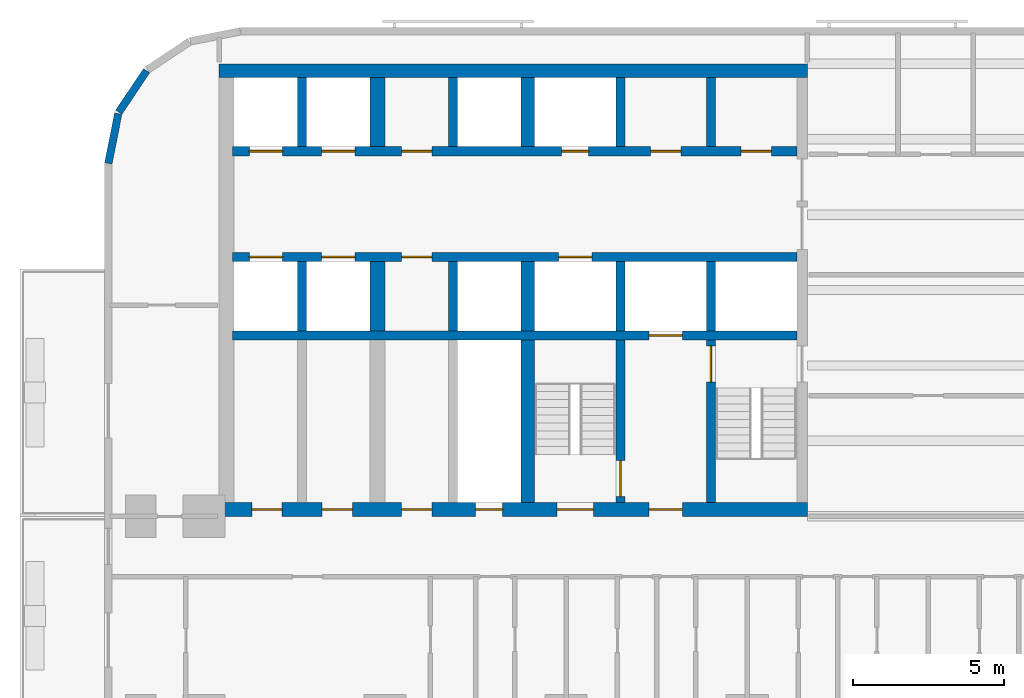
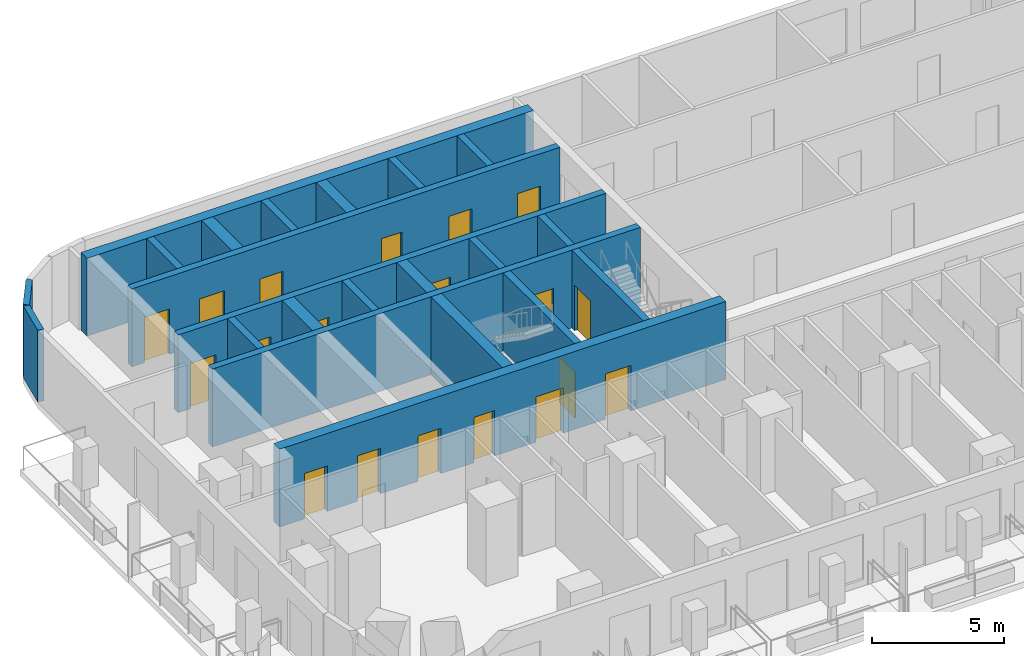
# One storey, part 3 of 13: 22 walls, 19 doors, 19 openings.
"""IFC4 building model written with IfcOpenShell, lengths in metres."""

import ifcopenshell
import ifcopenshell.guid

model = None  # the IFC model being written
_history = None  # IfcOwnerHistory: only IFC2X3 demands one
_inside = {}  # id of a spatial element -> (the spatial element, [elements in it])
_under = {}  # id of a project, library or spatial element -> (it, [spatial elements below it])
_declared = {}  # id of a project -> (the project, [libraries it declares])
_typed = {}  # id of a type object -> (the type object, [elements of that type])
_made_of = {}  # id of a material, layer set ... -> (it, [elements and type objects made of it])


def new_model(schema):
    """Start an empty IFC model of exactly this schema.

    Asked for "IFC4X3", IfcOpenShell would pick the latest addendum, in which some entities
    have other attributes; the version numbers below select the first issue.
    IFC2X3 requires an IfcOwnerHistory on every rooted entity: one is made here for all.
    """
    global model, _history
    if schema == "IFC4X3":
        model = ifcopenshell.file(schema_version=(4, 3, 0, 0))
    else:
        model = ifcopenshell.file(schema=schema)
    _inside.clear()
    _under.clear()
    _declared.clear()
    _typed.clear()
    _made_of.clear()
    _history = None
    if model.schema == "IFC2X3":
        org = make("IfcOrganization", Name="unknown")
        user = make(
            "IfcPersonAndOrganization",
            ThePerson=make("IfcPerson", FamilyName="unknown"),
            TheOrganization=org,
        )
        app = make(
            "IfcApplication",
            ApplicationDeveloper=org,
            Version="unknown",
            ApplicationFullName="unknown",
            ApplicationIdentifier="unknown",
        )
        _history = make(
            "IfcOwnerHistory",
            OwningUser=user,
            OwningApplication=app,
            ChangeAction="ADDED",
            CreationDate=0,
        )
    return model


def make(cls, **values):
    """One entity of the class cls with the attributes given. An attribute that is None is left unset."""
    return model.create_entity(
        cls, **{name: value for name, value in values.items() if value is not None}
    )


def rooted(cls, **values):
    """An entity with a GlobalId (a new one), such as an element, a storey or a relation."""
    return make(cls, GlobalId=ifcopenshell.guid.new(), OwnerHistory=_history, **values)


def si_unit(unit_type, name, prefix=None):
    """IfcSIUnit, for example si_unit("LENGTHUNIT", "METRE", prefix="MILLI")."""
    return make("IfcSIUnit", UnitType=unit_type, Prefix=prefix, Name=name)


def assignment(units):
    """IfcUnitAssignment: the units of a project."""
    return None if units is None else make("IfcUnitAssignment", Units=units)


def point(xyz):
    """IfcCartesianPoint."""
    return None if xyz is None else make("IfcCartesianPoint", Coordinates=xyz)


def direction(xyz):
    """IfcDirection."""
    return None if xyz is None else make("IfcDirection", DirectionRatios=xyz)


def frame(location, z_axis=None, x_axis=None):
    """IfcAxis2Placement3D, a coordinate frame: its origin and axes. An axis left out is left unset."""
    return make(
        "IfcAxis2Placement3D",
        Location=point(location),
        Axis=direction(z_axis),
        RefDirection=direction(x_axis),
    )


def frame_2d(location, x_axis=None):
    """IfcAxis2Placement2D, a coordinate frame in the plane: its origin and x axis."""
    return make(
        "IfcAxis2Placement2D", Location=point(location), RefDirection=direction(x_axis)
    )


def origin():
    """The frame at (0, 0, 0) with its axes left unset."""
    return frame((0.0, 0.0, 0.0))


def place(relative_to, where):
    """IfcLocalPlacement: puts the frame where relative to a parent placement (None: the world)."""
    return make(
        "IfcLocalPlacement", PlacementRelTo=relative_to, RelativePlacement=where
    )


def context(
    kind, dimensions, precision=None, world=None, true_north=None, identifier=None
):
    """IfcGeometricRepresentationContext, for example the 3D "Model" context."""
    return make(
        "IfcGeometricRepresentationContext",
        ContextIdentifier=identifier,
        ContextType=kind,
        CoordinateSpaceDimension=dimensions,
        Precision=precision,
        WorldCoordinateSystem=world,
        TrueNorth=true_north,
    )


def subcontext(parent, identifier, kind, view, scale=None):
    """IfcGeometricRepresentationSubContext, for example "Body" below "Model"."""
    return make(
        "IfcGeometricRepresentationSubContext",
        ContextIdentifier=identifier,
        ContextType=kind,
        ParentContext=parent,
        TargetScale=scale,
        TargetView=view,
    )


def project(units=None, contexts=None):
    """IfcProject with its units and contexts."""
    return rooted(
        "IfcProject",
        Name="project",
        RepresentationContexts=contexts,
        UnitsInContext=assignment(units),
    )


def spatial(cls, under=None, at=None, **own):
    """A site, building, storey or space (cls), placed at a placement, below another one or the project."""
    s = rooted(cls, ObjectPlacement=at, **own)
    if under is not None:
        _under.setdefault(under.id(), (under, []))[1].append(s)
    return s


def profile(cls, at=None, kind="AREA", **sizes):
    """A parametric profile (cls). Its sizes go by their IFC names, for example OverallWidth=200.0."""
    return make(cls, ProfileType=kind, Position=at, **sizes)


def rectangle(**sizes):
    """IfcRectangleProfileDef."""
    return profile("IfcRectangleProfileDef", **sizes)


def extrude(swept, where, along, depth):
    """IfcExtrudedAreaSolid: the profile swept, set in the frame where, extruded along a direction by depth."""
    return make(
        "IfcExtrudedAreaSolid",
        SweptArea=swept,
        Position=where,
        ExtrudedDirection=direction(along),
        Depth=depth,
    )


def shape(context_of_items, identifier, shape_type, items):
    """IfcShapeRepresentation: the items that make up one representation, for example the "Body"."""
    return make(
        "IfcShapeRepresentation",
        ContextOfItems=context_of_items,
        RepresentationIdentifier=identifier,
        RepresentationType=shape_type,
        Items=items,
    )


def material(Name=None, Category=None):
    """IfcMaterial."""
    return make("IfcMaterial", Name=Name, Category=Category)


def layer(
    of_material, thickness, ventilated=None, Name=None, Category=None, Priority=None
):
    """IfcMaterialLayer: one layer of a wall or slab, of a material (None: an air gap)."""
    return make(
        "IfcMaterialLayer",
        Material=of_material,
        LayerThickness=thickness,
        IsVentilated=ventilated,
        Name=Name,
        Category=Category,
        Priority=Priority,
    )


def layer_set(layers, Name=None):
    """IfcMaterialLayerSet."""
    return make("IfcMaterialLayerSet", MaterialLayers=layers, LayerSetName=Name)


def made_of(thing, what):
    """Note that an element or type object is made of a material, layer set ...; save() writes the relation."""
    if what is not None:
        _made_of.setdefault(what.id(), (what, []))[1].append(thing)
    return thing


def type_object(cls, material=None, **own):
    """A type object (cls), such as IfcWallType, which elements share."""
    return made_of(rooted(cls, **own), material)


def element(
    cls,
    number,
    at=None,
    inside=None,
    cuts=None,
    type_object=None,
    material=None,
    context=None,
    identifier="Body",
    shape_type=None,
    held_by="IfcProductDefinitionShape",
    body=None,
    shapes=None,
    **own,
):
    """One element of the class cls, such as IfcWall. Its Tag is "e" and its number.

    at: its placement. inside: the storey or other place that contains it. cuts: it is an
    opening in that element (IfcRelVoidsElement). A single representation is given by context,
    identifier, shape_type and body (its items); several are given by shapes. held_by: the class
    of the entity that holds the representations. save() writes the other relations.
    """
    e = rooted(cls, Tag="e%d" % number, ObjectPlacement=at, **own)
    if body is not None:
        shapes = [shape(context, identifier, shape_type, body)]
    if shapes is not None:
        e.Representation = make(held_by, Representations=shapes)
    if inside is not None:
        _inside.setdefault(inside.id(), (inside, []))[1].append(e)
    if cuts is not None:
        rooted(
            "IfcRelVoidsElement", RelatingBuildingElement=cuts, RelatedOpeningElement=e
        )
    if type_object is not None:
        _typed.setdefault(type_object.id(), (type_object, []))[1].append(e)
    return made_of(e, material)


def fill(opening, filler):
    """IfcRelFillsElement: the door or window that sits in an opening."""
    return rooted(
        "IfcRelFillsElement",
        RelatingOpeningElement=opening,
        RelatedBuildingElement=filler,
    )


def aggregate(whole, parts):
    """IfcRelAggregates: a whole, such as a stair, and the parts it consists of."""
    return rooted("IfcRelAggregates", RelatingObject=whole, RelatedObjects=parts)


def save(model, path):
    """Write the relations noted so far, then the file.

    IfcRelAggregates (storeys below a building ...), IfcRelContainedInSpatialStructure (elements
    in a storey), IfcRelDefinesByType, IfcRelAssociatesMaterial and IfcRelDeclares: one each for
    every whole, place, type object, material and project.
    """
    for whole, parts in _under.values():
        aggregate(whole, parts)
    for where, things in _inside.values():
        rooted(
            "IfcRelContainedInSpatialStructure",
            RelatedElements=things,
            RelatingStructure=where,
        )
    for kind, things in _typed.values():
        rooted("IfcRelDefinesByType", RelatedObjects=things, RelatingType=kind)
    for what, things in _made_of.values():
        rooted("IfcRelAssociatesMaterial", RelatedObjects=things, RelatingMaterial=what)
    for by, libraries in _declared.values():
        rooted("IfcRelDeclares", RelatingContext=by, RelatedDefinitions=libraries)
    model.write(path)


model = new_model("IFC4")

# Units and contexts
model_context = context("Model", 3, precision=1e-05, world=origin(), true_north=direction((0.0, 1.0)))
body_context = subcontext(model_context, "Body", "Model", "MODEL_VIEW")
ifc_project = project(units=[si_unit("LENGTHUNIT", "METRE"), si_unit("AREAUNIT", "SQUARE_METRE"), si_unit("VOLUMEUNIT", "CUBIC_METRE"), si_unit("PLANEANGLEUNIT", "RADIAN"), si_unit("MASSUNIT", "GRAM", prefix="KILO")], contexts=[model_context])

# Site, building, storey
site_placement = place(None, origin())
site = spatial("IfcSite", under=ifc_project, at=site_placement, CompositionType="ELEMENT")
building_placement = place(site_placement, origin())
building = spatial("IfcBuilding", under=site, at=building_placement, Name="Torana Hotel and Residences", CompositionType="ELEMENT")
storey_placement = place(building_placement, frame((0.0, 0.0, 56.39990234375)))
storey = spatial("IfcBuildingStorey", under=building, at=storey_placement, Name="L13", CompositionType="ELEMENT", Elevation=56.39990234375)

# Wall, openings, doors
ifc_material_1 = material(Name="Concrete C80/95", Category="concrete")
ifc_layer_1 = layer(ifc_material_1, 0.300048828125)
ifc_layer_set_1 = layer_set([ifc_layer_1], Name="CORE WALL 300 C80/95")
wall_type_1 = type_object("IfcWallType", Name="CORE WALL 300 C80/95", PredefinedType="SHEAR", material=ifc_layer_set_1)
wall_1_placement = place(storey_placement, frame((-29.050048828125, -2.89990234375, 0.0), z_axis=(0.0, 0.0, 1.0), x_axis=(1.0, 0.0, 0.0)))
wall_1 = element("IfcWall", 1, at=wall_1_placement, inside=storey, type_object=wall_type_1, Name="Core wall W row-N", PredefinedType="SHEAR", context=body_context, shape_type="SweptSolid", body=[
    extrude(rectangle(XDim=18.699951171875, YDim=0.300048828125, at=frame_2d((9.35009765625, 0.0))), origin(), (0.0, 0.0, 1.0), 3.60009765625),
])
opening_1_placement = place(wall_1_placement, frame((2.949951171875, 0.0, 0.0)))
opening_1 = element("IfcOpeningElement", 2, at=opening_1_placement, cuts=wall_1, Name="Opening LD", PredefinedType="OPENING", context=body_context, shape_type="SweptSolid", body=[
    extrude(rectangle(XDim=1.10009765625, YDim=2.10009765625, at=frame_2d((0.550048828125, 1.050048828125))), frame((0.0, 0.159912109375, 0.0), z_axis=(0.0, -1.0, 0.0), x_axis=(1.0, 0.0, 0.0)), (0.0, 0.0, 1.0), 0.320068359375),
])
opening_2_placement = place(wall_1_placement, frame((0.550048828125, 0.0, 0.0)))
opening_2 = element("IfcOpeningElement", 3, at=opening_2_placement, cuts=wall_1, Name="Opening LD", PredefinedType="OPENING", context=body_context, shape_type="SweptSolid", body=[
    extrude(rectangle(XDim=1.10009765625, YDim=2.10009765625, at=frame_2d((0.550048828125, 1.050048828125))), frame((0.0, 0.159912109375, 0.0), z_axis=(0.0, -1.0, 0.0), x_axis=(1.0, 0.0, 0.0)), (0.0, 0.0, 1.0), 0.320068359375),
])
opening_3_placement = place(wall_1_placement, frame((10.89990234375, 0.0, 0.0)))
opening_3 = element("IfcOpeningElement", 4, at=opening_3_placement, cuts=wall_1, Name="Opening L13-10", PredefinedType="OPENING", context=body_context, shape_type="SweptSolid", body=[
    extrude(rectangle(XDim=0.89990234375, YDim=2.10009765625, at=frame_2d((0.449951171875, 1.050048828125))), frame((0.0, 0.159912109375, 0.0), z_axis=(0.0, -1.0, 0.0), x_axis=(1.0, 0.0, 0.0)), (0.0, 0.0, 1.0), 0.320068359375),
])
opening_4_placement = place(wall_1_placement, frame((16.85009765625, 0.0, 0.0)))
opening_4 = element("IfcOpeningElement", 5, at=opening_4_placement, cuts=wall_1, Name="Opening L13-11", PredefinedType="OPENING", context=body_context, shape_type="SweptSolid", body=[
    extrude(rectangle(XDim=1.0, YDim=2.10009765625, at=frame_2d((0.5, 1.050048828125))), frame((0.0, 0.159912109375, 0.0), z_axis=(0.0, -1.0, 0.0), x_axis=(1.0, 0.0, 0.0)), (0.0, 0.0, 1.0), 0.320068359375),
])
opening_5_placement = place(wall_1_placement, frame((13.85009765625, 0.0, 0.0)))
opening_5 = element("IfcOpeningElement", 6, at=opening_5_placement, cuts=wall_1, Name="Opening L13-12", PredefinedType="OPENING", context=body_context, shape_type="SweptSolid", body=[
    extrude(rectangle(XDim=1.0, YDim=2.10009765625, at=frame_2d((0.5, 1.050048828125))), frame((0.0, 0.159912109375, 0.0), z_axis=(0.0, -1.0, 0.0), x_axis=(1.0, 0.0, 0.0)), (0.0, 0.0, 1.0), 0.320068359375),
])
opening_6_placement = place(wall_1_placement, frame((5.60009765625, 0.0, 0.0)))
opening_6 = element("IfcOpeningElement", 7, at=opening_6_placement, cuts=wall_1, Name="Opening L13-13", PredefinedType="OPENING", context=body_context, shape_type="SweptSolid", body=[
    extrude(rectangle(XDim=1.0, YDim=2.10009765625, at=frame_2d((0.5, 1.050048828125))), frame((0.0, 0.159912109375, 0.0), z_axis=(0.0, -1.0, 0.0), x_axis=(1.0, 0.0, 0.0)), (0.0, 0.0, 1.0), 0.320068359375),
])
ifc_material_2 = material(Name="Steel S235", Category="steel")
door_type_1 = type_object("IfcDoorType", Name="CORE ROOM FIRE DOOR D14 1000x2100", OperationType="SINGLE_SWING_LEFT", PredefinedType="DOOR", material=ifc_material_2)
door_1_placement = place(opening_4_placement, origin())
door_1 = element("IfcDoor", 8, at=door_1_placement, inside=storey, type_object=door_type_1, Name="N0 door L13", OperationType="SINGLE_SWING_RIGHT", OverallHeight=2.10009765625, OverallWidth=1.0, PredefinedType="DOOR", context=body_context, shape_type="SweptSolid", body=[
    extrude(rectangle(XDim=1.0, YDim=2.10009765625, at=frame_2d((0.5, 1.050048828125))), frame((0.0, 0.02490234375, 0.0), z_axis=(0.0, -1.0, 0.0), x_axis=(1.0, 0.0, 0.0)), (0.0, 0.0, 1.0), 0.050048828125),
])
fill(opening_4, door_1)
door_2_placement = place(opening_5_placement, origin())
door_2 = element("IfcDoor", 9, at=door_2_placement, inside=storey, type_object=door_type_1, Name="N1 door L13", OperationType="SINGLE_SWING_RIGHT", OverallHeight=2.10009765625, OverallWidth=1.0, PredefinedType="DOOR", context=body_context, shape_type="SweptSolid", body=[
    extrude(rectangle(XDim=1.0, YDim=2.10009765625, at=frame_2d((0.5, 1.050048828125))), frame((0.0, 0.02490234375, 0.0), z_axis=(0.0, -1.0, 0.0), x_axis=(1.0, 0.0, 0.0)), (0.0, 0.0, 1.0), 0.050048828125),
])
fill(opening_5, door_2)
door_3_placement = place(opening_6_placement, origin())
door_3 = element("IfcDoor", 10, at=door_3_placement, inside=storey, type_object=door_type_1, Name="Free-M1 door L13", OperationType="SINGLE_SWING_RIGHT", OverallHeight=2.10009765625, OverallWidth=1.0, PredefinedType="DOOR", context=body_context, shape_type="SweptSolid", body=[
    extrude(rectangle(XDim=1.0, YDim=2.10009765625, at=frame_2d((0.5, 1.050048828125))), frame((0.0, 0.02490234375, 0.0), z_axis=(0.0, -1.0, 0.0), x_axis=(1.0, 0.0, 0.0)), (0.0, 0.0, 1.0), 0.050048828125),
])
fill(opening_6, door_3)
ifc_material_3 = material(Name="Stainless steel 316", Category="steel")
door_type_2 = type_object("IfcDoorType", Name="LIFT LANDING DOOR LD 1100x2100", OperationType="DOUBLE_DOOR_SLIDING", PredefinedType="USERDEFINED", material=ifc_material_3)
door_4_placement = place(opening_1_placement, origin())
door_4 = element("IfcDoor", 11, at=door_4_placement, inside=storey, type_object=door_type_2, Name="Lift landing door L1 L13", ObjectType="LIFT LANDING DOOR", OperationType="DOUBLE_DOOR_SLIDING", OverallHeight=2.10009765625, OverallWidth=1.10009765625, PredefinedType="USERDEFINED", context=body_context, shape_type="SweptSolid", body=[
    extrude(rectangle(XDim=1.10009765625, YDim=2.10009765625, at=frame_2d((0.550048828125, 1.050048828125))), frame((0.0, 0.02490234375, 0.0), z_axis=(0.0, -1.0, 0.0), x_axis=(1.0, 0.0, 0.0)), (0.0, 0.0, 1.0), 0.050048828125),
])
fill(opening_1, door_4)
door_5_placement = place(opening_2_placement, origin())
door_5 = element("IfcDoor", 12, at=door_5_placement, inside=storey, type_object=door_type_2, Name="Lift landing door L2 L13", ObjectType="LIFT LANDING DOOR", OperationType="DOUBLE_DOOR_SLIDING", OverallHeight=2.10009765625, OverallWidth=1.10009765625, PredefinedType="USERDEFINED", context=body_context, shape_type="SweptSolid", body=[
    extrude(rectangle(XDim=1.10009765625, YDim=2.10009765625, at=frame_2d((0.550048828125, 1.050048828125))), frame((0.0, 0.02490234375, 0.0), z_axis=(0.0, -1.0, 0.0), x_axis=(1.0, 0.0, 0.0)), (0.0, 0.0, 1.0), 0.050048828125),
])
fill(opening_2, door_5)
ifc_material_4 = material(Name="Steel S235", Category="steel")
door_type_3 = type_object("IfcDoorType", Name="RISER ACCESS DOOR D5 900x2100", OperationType="SINGLE_SWING_LEFT", PredefinedType="DOOR", material=ifc_material_4)
door_6_placement = place(opening_3_placement, origin())
door_6 = element("IfcDoor", 13, at=door_6_placement, inside=storey, type_object=door_type_3, Name="N2 door L13", OperationType="SINGLE_SWING_RIGHT", OverallHeight=2.10009765625, OverallWidth=0.89990234375, PredefinedType="DOOR", context=body_context, shape_type="SweptSolid", body=[
    extrude(rectangle(XDim=0.89990234375, YDim=2.10009765625, at=frame_2d((0.449951171875, 1.050048828125))), frame((0.0, 0.02490234375, 0.0), z_axis=(0.0, -1.0, 0.0), x_axis=(1.0, 0.0, 0.0)), (0.0, 0.0, 1.0), 0.050048828125),
])
fill(opening_3, door_6)

wall_2_placement = place(storey_placement, frame((-29.050048828125, -6.39990234375, 0.0), z_axis=(0.0, 0.0, 1.0), x_axis=(1.0, 0.0, 0.0)))
wall_2 = element("IfcWall", 14, at=wall_2_placement, inside=storey, type_object=wall_type_1, Name="Core wall W row-S", PredefinedType="SHEAR", context=body_context, shape_type="SweptSolid", body=[
    extrude(rectangle(XDim=18.699951171875, YDim=0.300048828125, at=frame_2d((9.35009765625, 0.0))), origin(), (0.0, 0.0, 1.0), 3.60009765625),
])
opening_7_placement = place(wall_2_placement, frame((2.949951171875, 0.0, 0.0)))
opening_7 = element("IfcOpeningElement", 15, at=opening_7_placement, cuts=wall_2, Name="Opening LD", PredefinedType="OPENING", context=body_context, shape_type="SweptSolid", body=[
    extrude(rectangle(XDim=1.10009765625, YDim=2.10009765625, at=frame_2d((0.550048828125, 1.050048828125))), frame((0.0, 0.159912109375, 0.0), z_axis=(0.0, -1.0, 0.0), x_axis=(1.0, 0.0, 0.0)), (0.0, 0.0, 1.0), 0.320068359375),
])
opening_8_placement = place(wall_2_placement, frame((0.550048828125, 0.0, 0.0)))
opening_8 = element("IfcOpeningElement", 16, at=opening_8_placement, cuts=wall_2, Name="Opening LD", PredefinedType="OPENING", context=body_context, shape_type="SweptSolid", body=[
    extrude(rectangle(XDim=1.10009765625, YDim=2.10009765625, at=frame_2d((0.550048828125, 1.050048828125))), frame((0.0, 0.159912109375, 0.0), z_axis=(0.0, -1.0, 0.0), x_axis=(1.0, 0.0, 0.0)), (0.0, 0.0, 1.0), 0.320068359375),
])
opening_9_placement = place(wall_2_placement, frame((10.800048828125, 0.0, 0.0)))
opening_9 = element("IfcOpeningElement", 17, at=opening_9_placement, cuts=wall_2, Name="Opening LD", PredefinedType="OPENING", context=body_context, shape_type="SweptSolid", body=[
    extrude(rectangle(XDim=1.10009765625, YDim=2.10009765625, at=frame_2d((0.550048828125, 1.050048828125))), frame((0.0, 0.159912109375, 0.0), z_axis=(0.0, -1.0, 0.0), x_axis=(1.0, 0.0, 0.0)), (0.0, 0.0, 1.0), 0.320068359375),
])
opening_10_placement = place(wall_2_placement, frame((5.60009765625, 0.0, 0.0)))
opening_10 = element("IfcOpeningElement", 18, at=opening_10_placement, cuts=wall_2, Name="Opening L13-14", PredefinedType="OPENING", context=body_context, shape_type="SweptSolid", body=[
    extrude(rectangle(XDim=1.0, YDim=2.10009765625, at=frame_2d((0.5, 1.050048828125))), frame((0.0, 0.159912109375, 0.0), z_axis=(0.0, -1.0, 0.0), x_axis=(1.0, 0.0, 0.0)), (0.0, 0.0, 1.0), 0.320068359375),
])
door_7_placement = place(opening_10_placement, frame((0.5, 0.0, 0.0), z_axis=(0.0, 0.0, 1.0), x_axis=(-1.0, 0.0, 0.0)))
door_7 = element("IfcDoor", 19, at=door_7_placement, inside=storey, type_object=door_type_1, Name="Free-M2 door L13", OperationType="SINGLE_SWING_LEFT", OverallHeight=2.10009765625, OverallWidth=1.0, PredefinedType="DOOR", context=body_context, shape_type="SweptSolid", body=[
    extrude(rectangle(XDim=1.0, YDim=2.10009765625, at=frame_2d((0.0, 1.050048828125))), frame((0.0, -0.02490234375, 0.0), z_axis=(0.0, 1.0, 0.0), x_axis=(-1.0, 0.0, 0.0)), (0.0, 0.0, 1.0), 0.050048828125),
])
fill(opening_10, door_7)
door_8_placement = place(opening_7_placement, origin())
door_8 = element("IfcDoor", 20, at=door_8_placement, inside=storey, type_object=door_type_2, Name="Lift landing door L3 L13", ObjectType="LIFT LANDING DOOR", OperationType="DOUBLE_DOOR_SLIDING", OverallHeight=2.10009765625, OverallWidth=1.10009765625, PredefinedType="USERDEFINED", context=body_context, shape_type="SweptSolid", body=[
    extrude(rectangle(XDim=1.10009765625, YDim=2.10009765625, at=frame_2d((0.550048828125, 1.050048828125))), frame((0.0, 0.02490234375, 0.0), z_axis=(0.0, -1.0, 0.0), x_axis=(1.0, 0.0, 0.0)), (0.0, 0.0, 1.0), 0.050048828125),
])
fill(opening_7, door_8)
door_9_placement = place(opening_8_placement, origin())
door_9 = element("IfcDoor", 21, at=door_9_placement, inside=storey, type_object=door_type_2, Name="Lift landing door L4 L13", ObjectType="LIFT LANDING DOOR", OperationType="DOUBLE_DOOR_SLIDING", OverallHeight=2.10009765625, OverallWidth=1.10009765625, PredefinedType="USERDEFINED", context=body_context, shape_type="SweptSolid", body=[
    extrude(rectangle(XDim=1.10009765625, YDim=2.10009765625, at=frame_2d((0.550048828125, 1.050048828125))), frame((0.0, 0.02490234375, 0.0), z_axis=(0.0, -1.0, 0.0), x_axis=(1.0, 0.0, 0.0)), (0.0, 0.0, 1.0), 0.050048828125),
])
fill(opening_8, door_9)
door_10_placement = place(opening_9_placement, origin())
door_10 = element("IfcDoor", 22, at=door_10_placement, inside=storey, type_object=door_type_2, Name="Lift landing door SV1 L13", ObjectType="LIFT LANDING DOOR", OperationType="DOUBLE_DOOR_SLIDING", OverallHeight=2.10009765625, OverallWidth=1.10009765625, PredefinedType="USERDEFINED", context=body_context, shape_type="SweptSolid", body=[
    extrude(rectangle(XDim=1.10009765625, YDim=2.10009765625, at=frame_2d((0.550048828125, 1.050048828125))), frame((0.0, 0.02490234375, 0.0), z_axis=(0.0, -1.0, 0.0), x_axis=(1.0, 0.0, 0.0)), (0.0, 0.0, 1.0), 0.050048828125),
])
fill(opening_9, door_10)

# Wall, opening, door
wall_3_placement = place(storey_placement, frame((-29.050048828125, -9.0, 0.0), z_axis=(0.0, 0.0, 1.0), x_axis=(1.0, 0.0, 0.0)))
wall_3 = element("IfcWall", 23, at=wall_3_placement, inside=storey, type_object=wall_type_1, Name="Core wall W band", PredefinedType="SHEAR", context=body_context, shape_type="SweptSolid", body=[
    extrude(rectangle(XDim=18.699951171875, YDim=0.300048828125, at=frame_2d((9.35009765625, 0.0))), origin(), (0.0, 0.0, 1.0), 3.60009765625),
])
opening_11_placement = place(wall_3_placement, frame((13.800048828125, 0.0, 0.0)))
opening_11 = element("IfcOpeningElement", 24, at=opening_11_placement, cuts=wall_3, Name="Opening LD", PredefinedType="OPENING", context=body_context, shape_type="SweptSolid", body=[
    extrude(rectangle(XDim=1.10009765625, YDim=2.10009765625, at=frame_2d((0.550048828125, 1.050048828125))), frame((0.0, 0.159912109375, 0.0), z_axis=(0.0, -1.0, 0.0), x_axis=(1.0, 0.0, 0.0)), (0.0, 0.0, 1.0), 0.320068359375),
])
door_11_placement = place(opening_11_placement, origin())
door_11 = element("IfcDoor", 25, at=door_11_placement, inside=storey, type_object=door_type_2, Name="Lift landing door FF1 L13", ObjectType="LIFT LANDING DOOR", OperationType="DOUBLE_DOOR_SLIDING", OverallHeight=2.10009765625, OverallWidth=1.10009765625, PredefinedType="USERDEFINED", context=body_context, shape_type="SweptSolid", body=[
    extrude(rectangle(XDim=1.10009765625, YDim=2.10009765625, at=frame_2d((0.550048828125, 1.050048828125))), frame((0.0, 0.02490234375, 0.0), z_axis=(0.0, -1.0, 0.0), x_axis=(1.0, 0.0, 0.0)), (0.0, 0.0, 1.0), 0.050048828125),
])
fill(opening_11, door_11)

# Walls
for number, where, z_axis, x_axis, name in (
    (26, (-13.199951171875, -2.75, 0.0), (0.0, 0.0, 1.0), (0.0, 1.0, 0.0), "Core wall W x3.05-N"),
    (27, (-13.199951171875, -8.85009765625, 0.0), (0.0, 0.0, 1.0), (0.0, 1.0, 0.0), "Core wall W x3.05-S"),
):
    element("IfcWall", number, at=place(storey_placement, frame(where, z_axis=z_axis, x_axis=x_axis)), inside=storey, type_object=wall_type_1, Name=name, PredefinedType="SHEAR", context=body_context, shape_type="SweptSolid", body=[
        extrude(rectangle(XDim=2.300048828125, YDim=0.300048828125, at=frame_2d((1.14990234375, 0.0))), origin(), (0.0, 0.0, 1.0), 3.60009765625),
    ])

# Wall, opening, door
wall_4_placement = place(storey_placement, frame((-13.199951171875, -14.550048828125, 0.0), z_axis=(0.0, 0.0, 1.0), x_axis=(0.0, 1.0, 0.0)))
wall_4 = element("IfcWall", 28, at=wall_4_placement, inside=storey, type_object=wall_type_1, Name="Core wall W x3.05-band", PredefinedType="SHEAR", context=body_context, shape_type="SweptSolid", body=[
    extrude(rectangle(XDim=5.400146484375, YDim=0.300048828125, at=frame_2d((2.7001953125, 0.0))), origin(), (0.0, 0.0, 1.0), 3.60009765625),
])
opening_12_placement = place(wall_4_placement, frame((4.0, 0.0, 0.0)))
opening_12 = element("IfcOpeningElement", 29, at=opening_12_placement, cuts=wall_4, Name="Opening L13-15", PredefinedType="OPENING", context=body_context, shape_type="SweptSolid", body=[
    extrude(rectangle(XDim=1.199951171875, YDim=2.10009765625, at=frame_2d((0.60009765625, 1.050048828125))), frame((0.0, 0.159912109375, 0.0), z_axis=(0.0, -1.0, 0.0), x_axis=(1.0, 0.0, 0.0)), (0.0, 0.0, 1.0), 0.320068359375),
])
ifc_material_5 = material(Name="Steel S235", Category="steel")
door_type_4 = type_object("IfcDoorType", Name="STAIR FIRE DOOR D3 1200x2100", OperationType="SINGLE_SWING_LEFT", PredefinedType="DOOR", material=ifc_material_5)
door_12_placement = place(opening_12_placement, frame((0.60009765625, 0.0, 0.0), z_axis=(0.0, 0.0, 1.0), x_axis=(-1.0, 0.0, 0.0)))
door_12 = element("IfcDoor", 30, at=door_12_placement, inside=storey, type_object=door_type_4, Name="Stair-A-lobby door L13", OperationType="SINGLE_SWING_RIGHT", OverallHeight=2.10009765625, OverallWidth=1.199951171875, PredefinedType="DOOR", context=body_context, shape_type="SweptSolid", body=[
    extrude(rectangle(XDim=1.199951171875, YDim=2.10009765625, at=frame_2d((0.0, 1.050048828125))), frame((0.0, -0.02490234375, 0.0), z_axis=(0.0, 1.0, 0.0), x_axis=(-1.0, 0.0, 0.0)), (0.0, 0.0, 1.0), 0.050048828125),
])
fill(opening_12, door_12)

# Walls
for number, where, z_axis, x_axis, name in (
    (31, (-16.199951171875, -2.75, 0.0), (0.0, 0.0, 1.0), (0.0, 1.0, 0.0), "Core wall W x6.05-N"),
    (32, (-16.199951171875, -8.85009765625, 0.0), (0.0, 0.0, 1.0), (0.0, 1.0, 0.0), "Core wall W x6.05-S"),
):
    element("IfcWall", number, at=place(storey_placement, frame(where, z_axis=z_axis, x_axis=x_axis)), inside=storey, type_object=wall_type_1, Name=name, PredefinedType="SHEAR", context=body_context, shape_type="SweptSolid", body=[
        extrude(rectangle(XDim=2.300048828125, YDim=0.300048828125, at=frame_2d((1.14990234375, 0.0))), origin(), (0.0, 0.0, 1.0), 3.60009765625),
    ])

# Wall, opening, door
wall_5_placement = place(storey_placement, frame((-16.199951171875, -14.550048828125, 0.0), z_axis=(0.0, 0.0, 1.0), x_axis=(0.0, 1.0, 0.0)))
wall_5 = element("IfcWall", 33, at=wall_5_placement, inside=storey, type_object=wall_type_1, Name="Core wall W x6.05-band", PredefinedType="SHEAR", context=body_context, shape_type="SweptSolid", body=[
    extrude(rectangle(XDim=5.400146484375, YDim=0.300048828125, at=frame_2d((2.7001953125, 0.0))), origin(), (0.0, 0.0, 1.0), 3.60009765625),
])
opening_13_placement = place(wall_5_placement, frame((0.199951171875, 0.0, 0.0)))
opening_13 = element("IfcOpeningElement", 34, at=opening_13_placement, cuts=wall_5, Name="Opening L13-16", PredefinedType="OPENING", context=body_context, shape_type="SweptSolid", body=[
    extrude(rectangle(XDim=1.199951171875, YDim=2.10009765625, at=frame_2d((0.60009765625, 1.050048828125))), frame((0.0, 0.159912109375, 0.0), z_axis=(0.0, -1.0, 0.0), x_axis=(1.0, 0.0, 0.0)), (0.0, 0.0, 1.0), 0.320068359375),
])
door_13_placement = place(opening_13_placement, origin())
door_13 = element("IfcDoor", 35, at=door_13_placement, inside=storey, type_object=door_type_4, Name="Stair-B-lobby door L13", OperationType="SINGLE_SWING_RIGHT", OverallHeight=2.10009765625, OverallWidth=1.199951171875, PredefinedType="DOOR", context=body_context, shape_type="SweptSolid", body=[
    extrude(rectangle(XDim=1.199951171875, YDim=2.10009765625, at=frame_2d((0.60009765625, 1.050048828125))), frame((0.0, 0.02490234375, 0.0), z_axis=(0.0, -1.0, 0.0), x_axis=(1.0, 0.0, 0.0)), (0.0, 0.0, 1.0), 0.050048828125),
])
fill(opening_13, door_13)

# Walls
for number, where, z_axis, x_axis, name in (
    (36, (-21.75, -2.75, 0.0), (0.0, 0.0, 1.0), (0.0, 1.0, 0.0), "Core wall W mm-N"),
    (37, (-21.75, -8.85009765625, 0.0), (0.0, 0.0, 1.0), (0.0, 1.0, 0.0), "Core wall W mm-S"),
    (38, (-26.75, -2.75, 0.0), (0.0, 0.0, 1.0), (0.0, 1.0, 0.0), "Core wall W ll-N"),
    (39, (-26.75, -8.85009765625, 0.0), (0.0, 0.0, 1.0), (0.0, 1.0, 0.0), "Core wall W ll-S"),
):
    element("IfcWall", number, at=place(storey_placement, frame(where, z_axis=z_axis, x_axis=x_axis)), inside=storey, type_object=wall_type_1, Name=name, PredefinedType="SHEAR", context=body_context, shape_type="SweptSolid", body=[
        extrude(rectangle(XDim=2.300048828125, YDim=0.300048828125, at=frame_2d((1.14990234375, 0.0))), origin(), (0.0, 0.0, 1.0), 3.60009765625),
    ])
ifc_material_6 = material(Name="Concrete C80/95", Category="concrete")
ifc_layer_2 = layer(ifc_material_6, 0.449951171875)
ifc_layer_set_2 = layer_set([ifc_layer_2], Name="CORE WALL 450 C80/95")
wall_type_2 = type_object("IfcWallType", Name="CORE WALL 450 C80/95", PredefinedType="SHEAR", material=ifc_layer_set_2)
wall_6_placement = place(storey_placement, frame((-29.5, -0.22509765625, 0.0), z_axis=(0.0, 0.0, 1.0), x_axis=(1.0, 0.0, 0.0)))
element("IfcWall", 40, at=wall_6_placement, inside=storey, type_object=wall_type_2, Name="Core wall W rear", PredefinedType="SHEAR", context=body_context, shape_type="SweptSolid", body=[
    extrude(rectangle(XDim=19.5, YDim=0.449951171875, at=frame_2d((9.75, 0.0))), origin(), (0.0, 0.0, 1.0), 3.60009765625),
])

# Wall, openings, doors
wall_7_placement = place(storey_placement, frame((-29.5, -14.77490234375, 0.0), z_axis=(0.0, 0.0, 1.0), x_axis=(1.0, 0.0, 0.0)))
wall_7 = element("IfcWall", 41, at=wall_7_placement, inside=storey, type_object=wall_type_2, Name="Core wall W front", PredefinedType="SHEAR", context=body_context, shape_type="SweptSolid", body=[
    extrude(rectangle(XDim=19.5, YDim=0.449951171875, at=frame_2d((9.75, 0.0))), origin(), (0.0, 0.0, 1.0), 3.60009765625),
])
opening_14_placement = place(wall_7_placement, frame((11.199951171875, 0.0, 0.0)))
opening_14 = element("IfcOpeningElement", 42, at=opening_14_placement, cuts=wall_7, Name="Opening L13-04", PredefinedType="OPENING", context=body_context, shape_type="SweptSolid", body=[
    extrude(rectangle(XDim=1.199951171875, YDim=2.10009765625, at=frame_2d((0.60009765625, 1.050048828125))), frame((0.0, 0.23486328125, 0.0), z_axis=(0.0, -1.0, 0.0), x_axis=(1.0, 0.0, 0.0)), (0.0, 0.0, 1.0), 0.469970703125),
])
opening_15_placement = place(wall_7_placement, frame((14.25, 0.0, 0.0)))
opening_15 = element("IfcOpeningElement", 43, at=opening_15_placement, cuts=wall_7, Name="Opening L13-05", PredefinedType="OPENING", context=body_context, shape_type="SweptSolid", body=[
    extrude(rectangle(XDim=1.10009765625, YDim=2.10009765625, at=frame_2d((0.550048828125, 1.050048828125))), frame((0.0, 0.23486328125, 0.0), z_axis=(0.0, -1.0, 0.0), x_axis=(1.0, 0.0, 0.0)), (0.0, 0.0, 1.0), 0.469970703125),
])
opening_16_placement = place(wall_7_placement, frame((8.5, 0.0, 0.0)))
opening_16 = element("IfcOpeningElement", 44, at=opening_16_placement, cuts=wall_7, Name="Opening L13-06", PredefinedType="OPENING", context=body_context, shape_type="SweptSolid", body=[
    extrude(rectangle(XDim=0.89990234375, YDim=2.10009765625, at=frame_2d((0.449951171875, 1.050048828125))), frame((0.0, 0.23486328125, 0.0), z_axis=(0.0, -1.0, 0.0), x_axis=(1.0, 0.0, 0.0)), (0.0, 0.0, 1.0), 0.469970703125),
])
opening_17_placement = place(wall_7_placement, frame((6.050048828125, 0.0, 0.0)))
opening_17 = element("IfcOpeningElement", 45, at=opening_17_placement, cuts=wall_7, Name="Opening L13-07", PredefinedType="OPENING", context=body_context, shape_type="SweptSolid", body=[
    extrude(rectangle(XDim=1.0, YDim=2.10009765625, at=frame_2d((0.5, 1.050048828125))), frame((0.0, 0.23486328125, 0.0), z_axis=(0.0, -1.0, 0.0), x_axis=(1.0, 0.0, 0.0)), (0.0, 0.0, 1.0), 0.469970703125),
])
opening_18_placement = place(wall_7_placement, frame((3.41259765625, 0.0, 0.0)))
opening_18 = element("IfcOpeningElement", 46, at=opening_18_placement, cuts=wall_7, Name="Opening L13-08", PredefinedType="OPENING", context=body_context, shape_type="SweptSolid", body=[
    extrude(rectangle(XDim=1.0, YDim=2.10009765625, at=frame_2d((0.5, 1.050048828125))), frame((0.0, 0.23486328125, 0.0), z_axis=(0.0, -1.0, 0.0), x_axis=(1.0, 0.0, 0.0)), (0.0, 0.0, 1.0), 0.469970703125),
])
opening_19_placement = place(wall_7_placement, frame((1.08740234375, 0.0, 0.0)))
opening_19 = element("IfcOpeningElement", 47, at=opening_19_placement, cuts=wall_7, Name="Opening L13-09", PredefinedType="OPENING", context=body_context, shape_type="SweptSolid", body=[
    extrude(rectangle(XDim=1.0, YDim=2.10009765625, at=frame_2d((0.5, 1.050048828125))), frame((0.0, 0.23486328125, 0.0), z_axis=(0.0, -1.0, 0.0), x_axis=(1.0, 0.0, 0.0)), (0.0, 0.0, 1.0), 0.469970703125),
])
door_14_placement = place(opening_17_placement, origin())
door_14 = element("IfcDoor", 48, at=door_14_placement, inside=storey, type_object=door_type_1, Name="M-Room door L13", OperationType="SINGLE_SWING_RIGHT", OverallHeight=2.10009765625, OverallWidth=1.0, PredefinedType="DOOR", context=body_context, shape_type="SweptSolid", body=[
    extrude(rectangle(XDim=1.0, YDim=2.10009765625, at=frame_2d((0.5, 1.050048828125))), frame((0.0, 0.02490234375, 0.0), z_axis=(0.0, -1.0, 0.0), x_axis=(1.0, 0.0, 0.0)), (0.0, 0.0, 1.0), 0.050048828125),
])
fill(opening_17, door_14)
door_15_placement = place(opening_18_placement, origin())
door_15 = element("IfcDoor", 49, at=door_15_placement, inside=storey, type_object=door_type_1, Name="L-A door L13", OperationType="SINGLE_SWING_RIGHT", OverallHeight=2.10009765625, OverallWidth=1.0, PredefinedType="DOOR", context=body_context, shape_type="SweptSolid", body=[
    extrude(rectangle(XDim=1.0, YDim=2.10009765625, at=frame_2d((0.5, 1.050048828125))), frame((0.0, 0.02490234375, 0.0), z_axis=(0.0, -1.0, 0.0), x_axis=(1.0, 0.0, 0.0)), (0.0, 0.0, 1.0), 0.050048828125),
])
fill(opening_18, door_15)
door_16_placement = place(opening_19_placement, origin())
door_16 = element("IfcDoor", 50, at=door_16_placement, inside=storey, type_object=door_type_1, Name="L-B door L13", OperationType="SINGLE_SWING_RIGHT", OverallHeight=2.10009765625, OverallWidth=1.0, PredefinedType="DOOR", context=body_context, shape_type="SweptSolid", body=[
    extrude(rectangle(XDim=1.0, YDim=2.10009765625, at=frame_2d((0.5, 1.050048828125))), frame((0.0, 0.02490234375, 0.0), z_axis=(0.0, -1.0, 0.0), x_axis=(1.0, 0.0, 0.0)), (0.0, 0.0, 1.0), 0.050048828125),
])
fill(opening_19, door_16)
ifc_material_7 = material(Name="Steel S235", Category="steel")
door_type_5 = type_object("IfcDoorType", Name="FIRE-FIGHTING LOBBY DOOR D8 1100x2100", OperationType="SINGLE_SWING_LEFT", PredefinedType="DOOR", material=ifc_material_7)
door_17_placement = place(opening_15_placement, origin())
door_17 = element("IfcDoor", 51, at=door_17_placement, inside=storey, type_object=door_type_5, Name="FF-lobby door L13", OperationType="SINGLE_SWING_RIGHT", OverallHeight=2.10009765625, OverallWidth=1.10009765625, PredefinedType="DOOR", context=body_context, shape_type="SweptSolid", body=[
    extrude(rectangle(XDim=1.10009765625, YDim=2.10009765625, at=frame_2d((0.550048828125, 1.050048828125))), frame((0.0, 0.02490234375, 0.0), z_axis=(0.0, -1.0, 0.0), x_axis=(1.0, 0.0, 0.0)), (0.0, 0.0, 1.0), 0.050048828125),
])
fill(opening_15, door_17)
door_18_placement = place(opening_16_placement, origin())
door_18 = element("IfcDoor", 52, at=door_18_placement, inside=storey, type_object=door_type_3, Name="M-Riser door L13", OperationType="SINGLE_SWING_RIGHT", OverallHeight=2.10009765625, OverallWidth=0.89990234375, PredefinedType="DOOR", context=body_context, shape_type="SweptSolid", body=[
    extrude(rectangle(XDim=0.89990234375, YDim=2.10009765625, at=frame_2d((0.449951171875, 1.050048828125))), frame((0.0, 0.02490234375, 0.0), z_axis=(0.0, -1.0, 0.0), x_axis=(1.0, 0.0, 0.0)), (0.0, 0.0, 1.0), 0.050048828125),
])
fill(opening_16, door_18)
door_19_placement = place(opening_14_placement, origin())
door_19 = element("IfcDoor", 53, at=door_19_placement, inside=storey, type_object=door_type_4, Name="Stair-B door L13", OperationType="SINGLE_SWING_RIGHT", OverallHeight=2.10009765625, OverallWidth=1.199951171875, PredefinedType="DOOR", context=body_context, shape_type="SweptSolid", body=[
    extrude(rectangle(XDim=1.199951171875, YDim=2.10009765625, at=frame_2d((0.60009765625, 1.050048828125))), frame((0.0, 0.02490234375, 0.0), z_axis=(0.0, -1.0, 0.0), x_axis=(1.0, 0.0, 0.0)), (0.0, 0.0, 1.0), 0.050048828125),
])
fill(opening_14, door_19)

# Walls
for number, where, z_axis, x_axis, name in (
    (54, (-19.27490234375, -2.75, 0.0), (0.0, 0.0, 1.0), (0.0, 1.0, 0.0), "Core wall W hm-N"),
    (55, (-19.27490234375, -8.85009765625, 0.0), (0.0, 0.0, 1.0), (0.0, 1.0, 0.0), "Core wall W hm-S"),
):
    element("IfcWall", number, at=place(storey_placement, frame(where, z_axis=z_axis, x_axis=x_axis)), inside=storey, type_object=wall_type_2, Name=name, PredefinedType="SHEAR", context=body_context, shape_type="SweptSolid", body=[
        extrude(rectangle(XDim=2.300048828125, YDim=0.449951171875, at=frame_2d((1.14990234375, 0.0))), origin(), (0.0, 0.0, 1.0), 3.60009765625),
    ])
wall_8_placement = place(storey_placement, frame((-19.27490234375, -14.550048828125, 0.0), z_axis=(0.0, 0.0, 1.0), x_axis=(0.0, 1.0, 0.0)))
element("IfcWall", 56, at=wall_8_placement, inside=storey, type_object=wall_type_2, Name="Core wall W hm-band", PredefinedType="SHEAR", context=body_context, shape_type="SweptSolid", body=[
    extrude(rectangle(XDim=5.400146484375, YDim=0.449951171875, at=frame_2d((2.7001953125, 0.0))), origin(), (0.0, 0.0, 1.0), 3.60009765625),
])
ifc_material_8 = material(Name="Concrete C80/95", Category="concrete")
ifc_layer_3 = layer(ifc_material_8, 0.5)
ifc_layer_set_3 = layer_set([ifc_layer_3], Name="CORE WALL 500 C80/95")
wall_type_3 = type_object("IfcWallType", Name="CORE WALL 500 C80/95", PredefinedType="SHEAR", material=ifc_layer_set_3)
for number, where, z_axis, x_axis, name in (
    (57, (-24.25, -2.75, 0.0), (0.0, 0.0, 1.0), (0.0, 1.0, 0.0), "Core wall W ml-N"),
    (58, (-24.25, -8.85009765625, 0.0), (0.0, 0.0, 1.0), (0.0, 1.0, 0.0), "Core wall W ml-S"),
):
    element("IfcWall", number, at=place(storey_placement, frame(where, z_axis=z_axis, x_axis=x_axis)), inside=storey, type_object=wall_type_3, Name=name, PredefinedType="SHEAR", context=body_context, shape_type="SweptSolid", body=[
        extrude(rectangle(XDim=2.300048828125, YDim=0.5, at=frame_2d((1.14990234375, 0.0))), origin(), (0.0, 0.0, 1.0), 3.60009765625),
    ])
ifc_material_9 = material(Name="Black aluminium composite panel", Category="aluminium")
ifc_layer_4 = layer(ifc_material_9, 0.00390625, Name="Cladding", Category="cladding")
ifc_material_10 = material(Name="Ventilated air cavity")
ifc_layer_5 = layer(ifc_material_10, 0.0400390625, Name="Ventilated cavity", Category="cavity")
ifc_material_11 = material(Name="Mineral wool insulation")
ifc_layer_6 = layer(ifc_material_11, 0.090087890625, Name="Insulation", Category="insulation")
ifc_material_12 = material(Name="Steel S280GD", Category="steel")
ifc_layer_7 = layer(ifc_material_12, 0.092041015625, Name="Steel stud frame", Category="structure")
ifc_material_13 = material(Name="Fire rated plasterboard")
ifc_layer_8 = layer(ifc_material_13, 0.011962890625, Name="Inner board", Category="finish")
ifc_layer_9 = layer(ifc_material_13, 0.011962890625, Name="Second board", Category="finish")
ifc_layer_set_4 = layer_set([ifc_layer_4, ifc_layer_5, ifc_layer_6, ifc_layer_7, ifc_layer_8, ifc_layer_9], Name="EW1 EXTERNAL WALL BLACK METAL CLAD 250")
wall_type_4 = type_object("IfcWallType", Name="EW1 EXTERNAL WALL BLACK METAL CLAD 250", PredefinedType="SOLIDWALL", material=ifc_layer_set_4)
wall_9_placement = place(storey_placement, frame((-31.90576171875, -0.228759765625, 0.0), z_axis=(0.0, 0.0, 1.0), x_axis=(-0.55555029066, -0.831482937015, 0.0)))
element("IfcWall", 59, at=wall_9_placement, inside=storey, type_object=wall_type_4, Name="External wall L13 e0.7", PredefinedType="SOLIDWALL", context=body_context, shape_type="SweptSolid", body=[
    extrude(rectangle(XDim=1.65625, YDim=0.25, at=frame_2d((0.828125, 0.0))), origin(), (0.0, 0.0, 1.0), 3.320068359375),
])
wall_10_placement = place(storey_placement, frame((-32.844482421875, -1.651123046875, 0.0), z_axis=(0.0, 0.0, 1.0), x_axis=(-0.19513878023, -0.980775640221, 0.0)))
element("IfcWall", 60, at=wall_10_placement, inside=storey, type_object=wall_type_4, Name="External wall L13 e0.8", PredefinedType="SOLIDWALL", context=body_context, shape_type="SweptSolid", body=[
    extrude(rectangle(XDim=1.681396484375, YDim=0.25, at=frame_2d((0.8408203125, 0.0))), origin(), (0.0, 0.0, 1.0), 3.320068359375),
])

save(model, "model.ifc")
